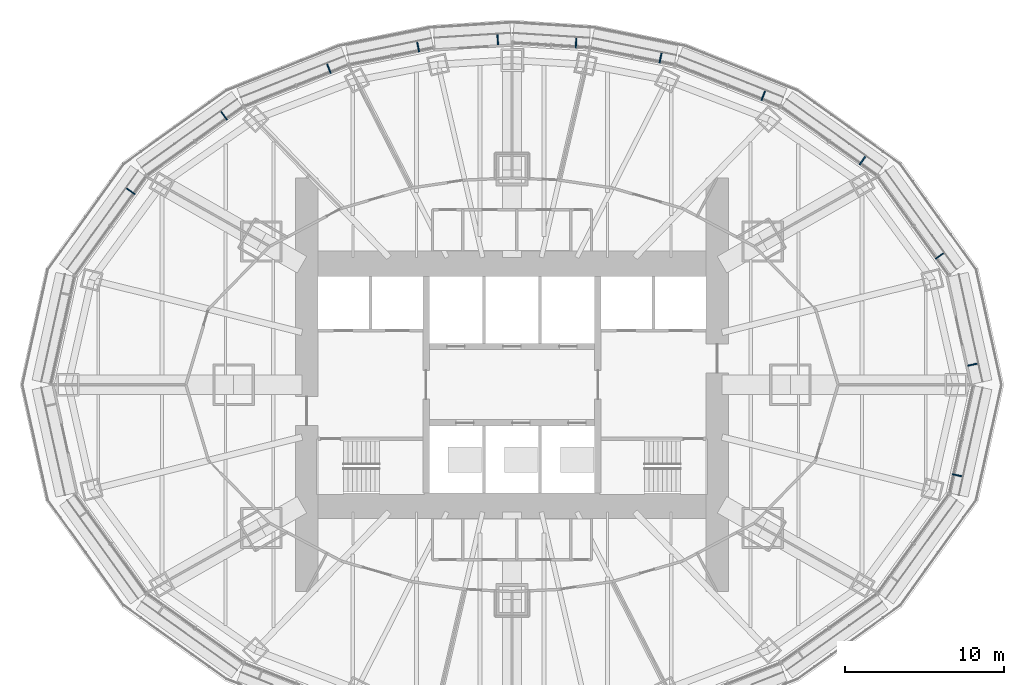
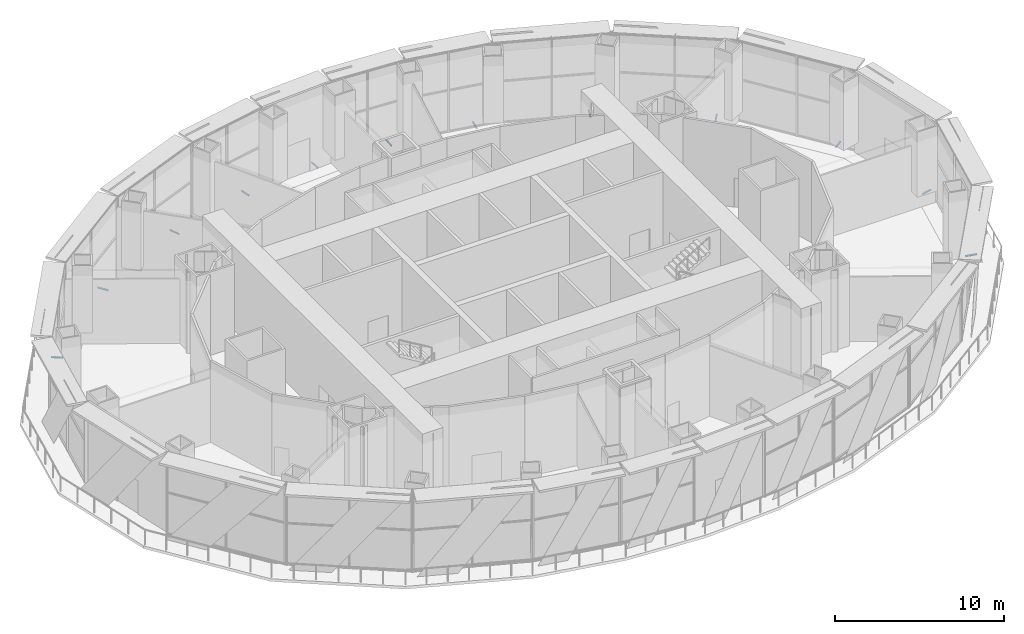
# One storey, part 15 of 21: 12 discrete accessories.
"""IFC4 building model written with IfcOpenShell, lengths in metres."""

from ifc_helpers import new_model, si_unit, direction, frame, origin, origin_2d, place, context, subcontext, project, spatial, rectangle, extrude, element, save


model = new_model("IFC4")

# Units and contexts
model_context = context("Model", 3, precision=1e-05, world=origin(), true_north=direction((0.0, 1.0)))
body_context = subcontext(model_context, "Body", "Model", "MODEL_VIEW")
ifc_project = project(units=[si_unit("LENGTHUNIT", "METRE"), si_unit("AREAUNIT", "SQUARE_METRE"), si_unit("VOLUMEUNIT", "CUBIC_METRE"), si_unit("PLANEANGLEUNIT", "RADIAN"), si_unit("MASSUNIT", "GRAM", prefix="KILO")], contexts=[model_context])

# Site, building, storey
site_placement = place(None, origin())
site = spatial("IfcSite", under=ifc_project, at=site_placement, CompositionType="ELEMENT")
building_placement = place(site_placement, origin())
building = spatial("IfcBuilding", under=site, at=building_placement, Name="Lantaw Convention Tower", CompositionType="ELEMENT")
storey_placement = place(building_placement, frame((0.0, 0.0, 111.39990234375)))
storey = spatial("IfcBuildingStorey", under=building, at=storey_placement, Name="L26", CompositionType="ELEMENT", Elevation=111.39990234375)

# Discrete accessories
for number, where, z_axis, x_axis, name in (
    (1, (28.98486328125, 1.269775390625, -0.139892578125), (0.0, 0.0, 1.0), (-0.215546166174, 0.9764936509, 0.0), "Screen bracket"),
    (2, (26.900146484375, 8.111572265625, -0.139892578125), (0.0, 0.0, 1.0), (-0.584512597221, 0.811384633629, 0.0), "Screen bracket"),
    (3, (22.044189453125, 14.10546875, -0.139892578125), (0.0, 0.0, 1.0), (-0.813208325995, 0.581972695693, 0.0), "Screen bracket"),
    (4, (15.802978515625, 18.18798828125, -0.139892578125), (0.0, 0.0, 1.0), (-0.929547687544, 0.368701907483, 0.0), "Screen bracket"),
    (5, (9.339599609375, 20.56005859375, -0.139892578125), (0.0, 0.0, 1.0), (-0.980301514912, 0.197506809659, 0.0), "Screen bracket"),
    (6, (4.027099609375, 21.505859375, -0.139892578125), (0.0, 0.0, 1.0), (-0.998022035978, 0.062865059466, 0.0), "Screen bracket"),
    (7, (-0.89794921875, 21.702880859375, -0.139892578125), (0.0, 0.0, 1.0), (-0.998022035978, -0.062865059466, 0.0), "Screen bracket"),
    (8, (-5.903076171875, 21.25244140625, -0.139892578125), (0.0, 0.0, 1.0), (-0.980301514912, -0.197506809659, 0.0), "Screen bracket"),
    (9, (-11.517822265625, 19.887939453125, -0.139892578125), (0.0, 0.0, 1.0), (-0.929547687544, -0.368701907483, 0.0), "Screen bracket"),
    (10, (-18.10791015625, 16.922607421875, -0.139892578125), (0.0, 0.0, 1.0), (-0.813208325995, -0.581972695693, 0.0), "Screen bracket"),
    (11, (-23.9765625, 12.169677734375, -0.139892578125), (0.0, 0.0, 1.0), (-0.584512597221, -0.811384633629, 0.0), "Screen bracket"),
    (12, (28.008056640625, -5.6953125, -0.139892578125), (0.0, 0.0, 1.0), (0.215546166174, 0.9764936509, 0.0), "Screen bracket"),
):
    element("IfcDiscreteAccessory", number, at=place(storey_placement, frame(where, z_axis=z_axis, x_axis=x_axis)), inside=storey, Name=name, PredefinedType="BRACKET", context=body_context, shape_type="SweptSolid", body=[
        extrude(rectangle(XDim=0.080078125, YDim=0.68798828125, at=origin_2d()), origin(), (0.0, 0.0, 1.0), 0.080078125),
    ])

save(model, "model.ifc")
